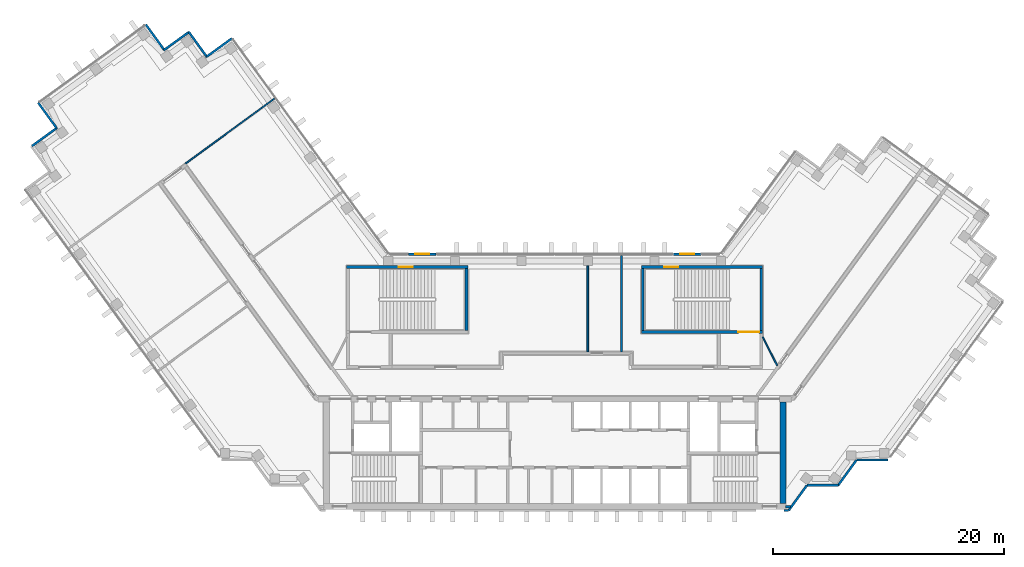
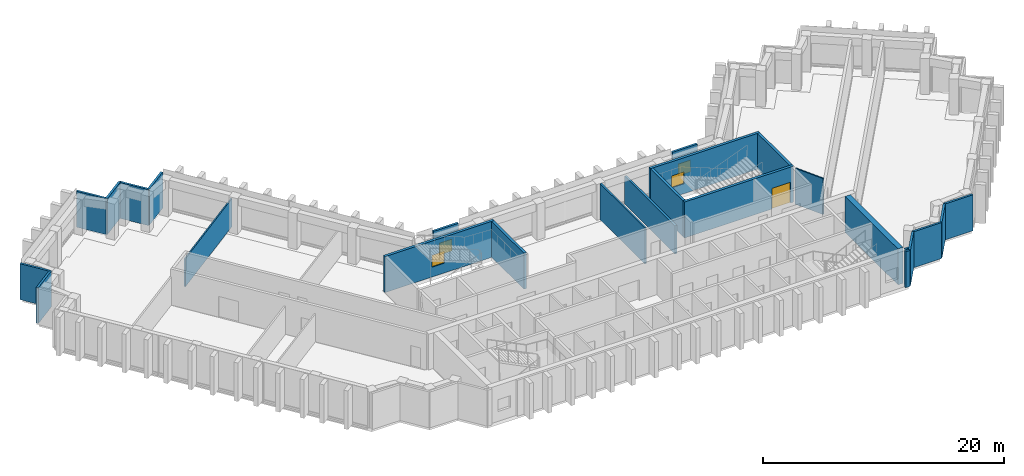
# One storey, part 6 of 9: 25 walls, 4 windows, 1 door, 5 openings.
"""IFC4 building model written with IfcOpenShell, lengths in metres."""

from ifc_helpers import new_model, si_unit, direction, frame, frame_2d, origin, place, context, subcontext, project, spatial, rectangle, extrude, material, layer, layer_set, type_object, element, fill, save


model = new_model("IFC4")

# Units and contexts
model_context = context("Model", 3, precision=1e-05, world=origin(), true_north=direction((0.0, 1.0)))
body_context = subcontext(model_context, "Body", "Model", "MODEL_VIEW")
ifc_project = project(units=[si_unit("LENGTHUNIT", "METRE"), si_unit("AREAUNIT", "SQUARE_METRE"), si_unit("VOLUMEUNIT", "CUBIC_METRE"), si_unit("PLANEANGLEUNIT", "RADIAN"), si_unit("MASSUNIT", "GRAM", prefix="KILO")], contexts=[model_context])

# Site, building, storey
site_placement = place(None, origin())
site = spatial("IfcSite", under=ifc_project, at=site_placement, CompositionType="ELEMENT")
building_placement = place(site_placement, origin())
building = spatial("IfcBuilding", under=site, at=building_placement, Name="Quipu Civic Tower", CompositionType="ELEMENT")
storey_placement = place(building_placement, frame((0.0, 0.0, 218.0)))
storey = spatial("IfcBuildingStorey", under=building, at=storey_placement, Name="L51", CompositionType="ELEMENT", Elevation=218.0)

# Walls
ifc_material_1 = material(Name="Double gypsum plasterboard with mineral wool")
ifc_layer_1 = layer(ifc_material_1, 0.14990234375)
ifc_layer_set_1 = layer_set([ifc_layer_1], Name="Double gypsum plasterboard with mineral wool")
wall_type_1 = type_object("IfcWallType", Name="Acoustic partition 150 plasterboard", PredefinedType="PARTITIONING", material=ifc_layer_set_1)
wall_1_placement = place(storey_placement, frame((2.85888671875, 2.64990234375, 0.0), z_axis=(0.0, 0.0, 1.0), x_axis=(0.0, 1.0, 0.0)))
element("IfcWall", 1, at=wall_1_placement, inside=storey, type_object=wall_type_1, Name="Partition P04", PredefinedType="PARTITIONING", context=body_context, shape_type="SweptSolid", body=[
    extrude(rectangle(XDim=7.445068359375, YDim=0.14990234375, at=frame_2d((3.72265625, 0.0))), origin(), (0.0, 0.0, 1.0), 3.64990234375),
])
ifc_material_2 = material(Name="Fired clay blockwork", Category="masonry")
ifc_layer_2 = layer(ifc_material_2, 0.199951171875)
ifc_layer_set_2 = layer_set([ifc_layer_2], Name="Fired clay blockwork")
wall_type_2 = type_object("IfcWallType", Name="Blockwork wall 200", PredefinedType="SOLIDWALL", material=ifc_layer_set_2)
wall_2_placement = place(storey_placement, frame((5.778076171875, 11.0, 0.0), z_axis=(0.0, 0.0, 1.0), x_axis=(0.0, -1.0, 0.0)))
element("IfcWall", 2, at=wall_2_placement, inside=storey, type_object=wall_type_2, Name="Partition P07", PredefinedType="SOLIDWALL", context=body_context, shape_type="SweptSolid", body=[
    extrude(rectangle(XDim=8.35009765625, YDim=0.199951171875, at=frame_2d((4.175048828125, 0.0))), origin(), (0.0, 0.0, 1.0), 2.85009765625),
])
ifc_material_3 = material(Name="Concrete C70/85", Category="concrete")
ifc_layer_3 = layer(ifc_material_3, 0.25)
ifc_layer_set_3 = layer_set([ifc_layer_3], Name="Concrete C70/85")
wall_type_3 = type_object("IfcWallType", Name="Core wall 250", PredefinedType="SHEAR", material=ifc_layer_set_3)
wall_3_placement = place(storey_placement, frame((-7.625, 4.5, 0.0), z_axis=(0.0, 0.0, 1.0), x_axis=(0.0, 1.0, 0.0)))
element("IfcWall", 3, at=wall_3_placement, inside=storey, type_object=wall_type_3, Name="Core wall", PredefinedType="SHEAR", context=body_context, shape_type="SweptSolid", body=[
    extrude(rectangle(XDim=5.35009765625, YDim=0.25, at=frame_2d((2.675048828125, 0.0))), origin(), (0.0, 0.0, 1.0), 3.64990234375),
])

# Wall, opening, window
wall_4_placement = place(storey_placement, frame((-18.0, 9.97509765625, 0.0), z_axis=(0.0, 0.0, 1.0), x_axis=(1.0, 0.0, 0.0)))
wall_4 = element("IfcWall", 4, at=wall_4_placement, inside=storey, type_object=wall_type_3, Name="Core wall", PredefinedType="SHEAR", context=body_context, shape_type="SweptSolid", body=[
    extrude(rectangle(XDim=10.5, YDim=0.25, at=frame_2d((5.25, 0.0))), origin(), (0.0, 0.0, 1.0), 3.64990234375),
])
opening_1_placement = place(wall_4_placement, frame((4.5, 0.0, 1.0)))
opening_1 = element("IfcOpeningElement", 5, at=opening_1_placement, cuts=wall_4, Name="Opening SV-3", PredefinedType="OPENING", context=body_context, shape_type="SweptSolid", body=[
    extrude(rectangle(XDim=1.199951171875, YDim=1.199951171875, at=frame_2d((0.60009765625, 0.60009765625))), frame((0.0, 0.135009765625, 0.0), z_axis=(0.0, -1.0, 0.0), x_axis=(1.0, 0.0, 0.0)), (0.0, 0.0, 1.0), 0.27001953125),
])
ifc_material_4 = material(Name="Aluminium louvre", Category="aluminium")
window_type_1 = type_object("IfcWindowType", Name="Stair ventilation louvre 1200 x 1200", PartitioningType="SINGLE_PANEL", PredefinedType="WINDOW", material=ifc_material_4)
window_1_placement = place(opening_1_placement, origin())
window_1 = element("IfcWindow", 6, at=window_1_placement, inside=storey, type_object=window_type_1, Name="Stair ventilation opening", OverallHeight=1.199951171875, OverallWidth=1.199951171875, PartitioningType="SINGLE_PANEL", PredefinedType="WINDOW", context=body_context, shape_type="SweptSolid", body=[
    extrude(rectangle(XDim=1.199951171875, YDim=1.199951171875, at=frame_2d((0.60009765625, 0.60009765625))), frame((0.0, 0.030029296875, 0.0), z_axis=(0.0, -1.0, 0.0), x_axis=(1.0, 0.0, 0.0)), (0.0, 0.0, 1.0), 0.06005859375),
])
fill(opening_1, window_1)

# Wall, opening, door
wall_5_placement = place(storey_placement, frame((7.5, 4.375, 0.0), z_axis=(0.0, 0.0, 1.0), x_axis=(1.0, 0.0, 0.0)))
wall_5 = element("IfcWall", 7, at=wall_5_placement, inside=storey, type_object=wall_type_3, Name="Core wall", PredefinedType="SHEAR", context=body_context, shape_type="SweptSolid", body=[
    extrude(rectangle(XDim=10.5, YDim=0.25, at=frame_2d((5.25, 0.0))), origin(), (0.0, 0.0, 1.0), 3.64990234375),
])
opening_2_placement = place(wall_5_placement, frame((8.39990234375, 0.0, 0.0)))
opening_2 = element("IfcOpeningElement", 8, at=opening_2_placement, cuts=wall_5, Name="Opening CD-24", PredefinedType="OPENING", context=body_context, shape_type="SweptSolid", body=[
    extrude(rectangle(XDim=1.800048828125, YDim=2.10009765625, at=frame_2d((0.89990234375, 1.050048828125))), frame((0.0, 0.135009765625, 0.0), z_axis=(0.0, -1.0, 0.0), x_axis=(1.0, 0.0, 0.0)), (0.0, 0.0, 1.0), 0.27001953125),
])
ifc_material_5 = material(Name="Fire rated steel door", Category="steel")
door_type = type_object("IfcDoorType", Name="Fire door FD90 double 1800 x 2100", OperationType="NOTDEFINED", PredefinedType="DOOR", material=ifc_material_5)
door_placement = place(opening_2_placement, origin())
door = element("IfcDoor", 9, at=door_placement, inside=storey, type_object=door_type, Name="Door", OperationType="DOUBLE_DOOR_SINGLE_SWING", OverallHeight=2.10009765625, OverallWidth=1.800048828125, PredefinedType="DOOR", context=body_context, shape_type="SweptSolid", body=[
    extrude(rectangle(XDim=1.800048828125, YDim=2.10009765625, at=frame_2d((0.89990234375, 1.050048828125))), frame((0.0, 0.02490234375, 0.0), z_axis=(0.0, -1.0, 0.0), x_axis=(1.0, 0.0, 0.0)), (0.0, 0.0, 1.0), 0.050048828125),
])
fill(opening_2, door)

# Walls
for number, where, z_axis, x_axis, name in (
    (10, (7.625, 4.5, 0.0), (0.0, 0.0, 1.0), (0.0, 1.0, 0.0), "Core wall"),
    (11, (17.875, 4.5, 0.0), (0.0, 0.0, 1.0), (0.0, 1.0, 0.0), "Core wall"),
):
    element("IfcWall", number, at=place(storey_placement, frame(where, z_axis=z_axis, x_axis=x_axis)), inside=storey, type_object=wall_type_3, Name=name, PredefinedType="SHEAR", context=body_context, shape_type="SweptSolid", body=[
        extrude(rectangle(XDim=5.35009765625, YDim=0.25, at=frame_2d((2.675048828125, 0.0))), origin(), (0.0, 0.0, 1.0), 3.64990234375),
    ])

# Wall, opening, window
wall_6_placement = place(storey_placement, frame((7.5, 9.97509765625, 0.0), z_axis=(0.0, 0.0, 1.0), x_axis=(1.0, 0.0, 0.0)))
wall_6 = element("IfcWall", 12, at=wall_6_placement, inside=storey, type_object=wall_type_3, Name="Core wall", PredefinedType="SHEAR", context=body_context, shape_type="SweptSolid", body=[
    extrude(rectangle(XDim=10.5, YDim=0.25, at=frame_2d((5.25, 0.0))), origin(), (0.0, 0.0, 1.0), 3.64990234375),
])
opening_3_placement = place(wall_6_placement, frame((2.0, 0.0, 1.0)))
opening_3 = element("IfcOpeningElement", 13, at=opening_3_placement, cuts=wall_6, Name="Opening SV-4", PredefinedType="OPENING", context=body_context, shape_type="SweptSolid", body=[
    extrude(rectangle(XDim=1.199951171875, YDim=1.199951171875, at=frame_2d((0.60009765625, 0.60009765625))), frame((0.0, 0.135009765625, 0.0), z_axis=(0.0, -1.0, 0.0), x_axis=(1.0, 0.0, 0.0)), (0.0, 0.0, 1.0), 0.27001953125),
])
window_2_placement = place(opening_3_placement, origin())
window_2 = element("IfcWindow", 14, at=window_2_placement, inside=storey, type_object=window_type_1, Name="Stair ventilation opening", OverallHeight=1.199951171875, OverallWidth=1.199951171875, PartitioningType="SINGLE_PANEL", PredefinedType="WINDOW", context=body_context, shape_type="SweptSolid", body=[
    extrude(rectangle(XDim=1.199951171875, YDim=1.199951171875, at=frame_2d((0.60009765625, 0.60009765625))), frame((0.0, 0.030029296875, 0.0), z_axis=(0.0, -1.0, 0.0), x_axis=(1.0, 0.0, 0.0)), (0.0, 0.0, 1.0), 0.06005859375),
])
fill(opening_3, window_2)

# Walls
ifc_material_6 = material(Name="Concrete C70/85", Category="concrete")
ifc_layer_4 = layer(ifc_material_6, 0.5)
ifc_layer_set_4 = layer_set([ifc_layer_4], Name="Concrete C70/85")
wall_type_4 = type_object("IfcWallType", Name="Core wall 500", PredefinedType="SHEAR", material=ifc_layer_set_4)
wall_7_placement = place(storey_placement, frame((19.75, -10.5, 0.0), z_axis=(0.0, 0.0, 1.0), x_axis=(0.0, 1.0, 0.0)))
element("IfcWall", 15, at=wall_7_placement, inside=storey, type_object=wall_type_4, Name="Core wall", PredefinedType="SHEAR", context=body_context, shape_type="SweptSolid", body=[
    extrude(rectangle(XDim=8.800048828125, YDim=0.5, at=frame_2d((4.39990234375, 0.0))), origin(), (0.0, 0.0, 1.0), 3.64990234375),
])
ifc_material_7 = material(Name="Gypsum plasterboard on light gauge framing")
ifc_layer_5 = layer(ifc_material_7, 0.1201171875)
ifc_layer_set_5 = layer_set([ifc_layer_5], Name="Gypsum plasterboard on light gauge framing")
wall_type_5 = type_object("IfcWallType", Name="Partition 120 plasterboard", PredefinedType="PARTITIONING", material=ifc_layer_set_5)
wall_8_placement = place(storey_placement, frame((-31.97998046875, 18.922119140625, 0.0), z_axis=(0.0, 0.0, 1.0), x_axis=(0.807588329082, 0.589746632657, 0.0)))
element("IfcWall", 16, at=wall_8_placement, inside=storey, type_object=wall_type_5, Name="Partition P02", PredefinedType="PARTITIONING", context=body_context, shape_type="SweptSolid", body=[
    extrude(rectangle(XDim=9.56982421875, YDim=0.1201171875, at=frame_2d((4.784912109375, 0.0))), origin(), (0.0, 0.0, 1.0), 2.85009765625),
])
wall_9_placement = place(storey_placement, frame((18.0, 3.925048828125, 0.0), z_axis=(0.0, 0.0, 1.0), x_axis=(0.453950796792, -0.891026752736, 0.0)))
element("IfcWall", 17, at=wall_9_placement, inside=storey, type_object=wall_type_5, Name="Partition P08", PredefinedType="PARTITIONING", context=body_context, shape_type="SweptSolid", body=[
    extrude(rectangle(XDim=2.77783203125, YDim=0.1201171875, at=frame_2d((1.388916015625, 0.0))), origin(), (0.0, 0.0, 1.0), 3.64990234375),
])
ifc_material_8 = material(Name="Precast concrete C40/50", Category="concrete")
wall_type_6 = type_object("IfcWallType", Name="Precast cladding wall", PredefinedType="SOLIDWALL", material=ifc_material_8)
wall_10_placement = place(storey_placement, frame((21.8427734375, -8.90380859375, 0.0), z_axis=(0.0, 0.0, 1.0), x_axis=(1.0, 0.0, 0.0)))
element("IfcWall", 18, at=wall_10_placement, inside=storey, type_object=wall_type_6, Name="Precast cladding wall L51 P01", PredefinedType="SOLIDWALL", context=body_context, shape_type="SweptSolid", body=[
    extrude(rectangle(XDim=2.699951171875, YDim=0.199951171875, at=frame_2d((1.35009765625, 0.0))), origin(), (0.0, 0.0, 1.0), 3.64990234375),
])
wall_11_placement = place(storey_placement, frame((24.533203125, -8.90869140625, 0.0), z_axis=(0.0, 0.0, 1.0), x_axis=(0.587720002413, 0.809064397168, 0.0)))
element("IfcWall", 19, at=wall_11_placement, inside=storey, type_object=wall_type_6, Name="Precast cladding wall L51 P02", PredefinedType="SOLIDWALL", context=body_context, shape_type="SweptSolid", body=[
    extrude(rectangle(XDim=2.7001953125, YDim=0.199951171875, at=frame_2d((1.35009765625, 0.0))), origin(), (0.0, 0.0, 1.0), 3.64990234375),
])
for number, where, z_axis, x_axis, name in (
    (20, (26.1298828125, -6.71923828125, 0.0), (0.0, 0.0, 1.0), (1.0, 0.0, 0.0), "Precast cladding wall L51 P03"),
    (21, (-27.92138671875, 29.787109375, 0.0), (0.0, 0.0, 1.0), (-0.809033161865, -0.587762999008, 0.0), "Precast cladding wall L51 2"),
    (22, (-30.08349609375, 28.149169921875, 0.0), (0.0, 0.0, 1.0), (-0.587762999008, 0.809033161865, 0.0), "Precast cladding wall L51 3"),
    (23, (-31.653564453125, 30.330810546875, 0.0), (0.0, 0.0, 1.0), (-0.809033161865, -0.587762999008, 0.0), "Precast cladding wall L51 4"),
    (24, (-33.80078125, 28.785888671875, 0.0), (0.0, 0.0, 1.0), (-0.587762999008, 0.809033161865, 0.0), "Precast cladding wall L51 5"),
    (25, (-44.699462890625, 24.20458984375, 0.0), (0.0, 0.0, 1.0), (0.587762999008, -0.809033161865, 0.0), "Precast cladding wall L51 7"),
    (26, (-43.060791015625, 22.04296875, 0.0), (0.0, 0.0, 1.0), (-0.809033161865, -0.587762999008, 0.0), "Precast cladding wall L51 8"),
):
    element("IfcWall", number, at=place(storey_placement, frame(where, z_axis=z_axis, x_axis=x_axis)), inside=storey, type_object=wall_type_6, Name=name, PredefinedType="SOLIDWALL", context=body_context, shape_type="SweptSolid", body=[
        extrude(rectangle(XDim=2.699951171875, YDim=0.199951171875, at=frame_2d((1.35009765625, 0.0))), origin(), (0.0, 0.0, 1.0), 3.64990234375),
    ])
wall_12_placement = place(storey_placement, frame((19.85009765625, -11.087890625, 0.0), z_axis=(0.0, 0.0, 1.0), x_axis=(1.0, 0.0, 0.0)))
element("IfcWall", 27, at=wall_12_placement, inside=storey, type_object=wall_type_6, Name="Precast cladding wall L51 18", PredefinedType="SOLIDWALL", context=body_context, shape_type="SweptSolid", body=[
    extrude(rectangle(XDim=0.40576171875, YDim=0.199951171875, at=frame_2d((0.202880859375, 0.0))), origin(), (0.0, 0.0, 1.0), 3.64990234375),
])
wall_13_placement = place(storey_placement, frame((20.253173828125, -11.083251953125, 0.0), z_axis=(0.0, 0.0, 1.0), x_axis=(0.587766567315, 0.809030569476, 0.0)))
element("IfcWall", 28, at=wall_13_placement, inside=storey, type_object=wall_type_6, Name="Precast cladding wall L51 19", PredefinedType="SOLIDWALL", context=body_context, shape_type="SweptSolid", body=[
    extrude(rectangle(XDim=2.687744140625, YDim=0.199951171875, at=frame_2d((1.34375, 0.0))), origin(), (0.0, 0.0, 1.0), 3.64990234375),
])

# Wall, opening, window
wall_14_placement = place(storey_placement, frame((12.655029296875, 11.10009765625, 0.0), z_axis=(0.0, 0.0, 1.0), x_axis=(-1.0, 0.0, 0.0)))
wall_14 = element("IfcWall", 29, at=wall_14_placement, inside=storey, type_object=wall_type_6, Name="Vent surround SF-L51-2", PredefinedType="SOLIDWALL", context=body_context, shape_type="SweptSolid", body=[
    extrude(rectangle(XDim=2.3916015625, YDim=0.199951171875, at=frame_2d((1.19580078125, 0.0))), origin(), (0.0, 0.0, 1.0), 3.64990234375),
])
opening_4_placement = place(wall_14_placement, frame((0.595703125, 0.0, 1.0)))
opening_4 = element("IfcOpeningElement", 30, at=opening_4_placement, cuts=wall_14, Name="Opening SF-L51-2", PredefinedType="OPENING", context=body_context, shape_type="SweptSolid", body=[
    extrude(rectangle(XDim=1.199951171875, YDim=1.199951171875, at=frame_2d((0.60009765625, 0.60009765625))), frame((0.0, 0.10986328125, 0.0), z_axis=(0.0, -1.0, 0.0), x_axis=(1.0, 0.0, 0.0)), (0.0, 0.0, 1.0), 0.219970703125),
])
ifc_material_9 = material(Name="Anodised aluminium louvre", Category="aluminium")
window_type_2 = type_object("IfcWindowType", Name="Stair vent louvre window P3", PartitioningType="SINGLE_PANEL", PredefinedType="WINDOW", material=ifc_material_9)
window_3_placement = place(opening_4_placement, origin())
window_3 = element("IfcWindow", 31, at=window_3_placement, inside=storey, type_object=window_type_2, Name="Stair vent louvre SF-L51-2", OverallHeight=1.199951171875, OverallWidth=1.199951171875, PartitioningType="SINGLE_PANEL", PredefinedType="WINDOW", context=body_context, shape_type="SweptSolid", body=[
    extrude(rectangle(XDim=1.199951171875, YDim=1.199951171875, at=frame_2d((0.60009765625, 0.60009765625))), frame((0.0, 0.030029296875, 0.0), z_axis=(0.0, -1.0, 0.0), x_axis=(1.0, 0.0, 0.0)), (0.0, 0.0, 1.0), 0.06005859375),
])
fill(opening_4, window_3)

wall_15_placement = place(storey_placement, frame((-10.263427734375, 11.10009765625, 0.0), z_axis=(0.0, 0.0, 1.0), x_axis=(-1.0, 0.0, 0.0)))
wall_15 = element("IfcWall", 32, at=wall_15_placement, inside=storey, type_object=wall_type_6, Name="Vent surround SF-L51-1", PredefinedType="SOLIDWALL", context=body_context, shape_type="SweptSolid", body=[
    extrude(rectangle(XDim=2.3916015625, YDim=0.199951171875, at=frame_2d((1.19580078125, 0.0))), origin(), (0.0, 0.0, 1.0), 3.64990234375),
])
opening_5_placement = place(wall_15_placement, frame((0.595703125, 0.0, 1.0)))
opening_5 = element("IfcOpeningElement", 33, at=opening_5_placement, cuts=wall_15, Name="Opening SF-L51-1", PredefinedType="OPENING", context=body_context, shape_type="SweptSolid", body=[
    extrude(rectangle(XDim=1.199951171875, YDim=1.199951171875, at=frame_2d((0.60009765625, 0.60009765625))), frame((0.0, 0.10986328125, 0.0), z_axis=(0.0, -1.0, 0.0), x_axis=(1.0, 0.0, 0.0)), (0.0, 0.0, 1.0), 0.219970703125),
])
window_4_placement = place(opening_5_placement, origin())
window_4 = element("IfcWindow", 34, at=window_4_placement, inside=storey, type_object=window_type_2, Name="Stair vent louvre SF-L51-1", OverallHeight=1.199951171875, OverallWidth=1.199951171875, PartitioningType="SINGLE_PANEL", PredefinedType="WINDOW", context=body_context, shape_type="SweptSolid", body=[
    extrude(rectangle(XDim=1.199951171875, YDim=1.199951171875, at=frame_2d((0.60009765625, 0.60009765625))), frame((0.0, 0.030029296875, 0.0), z_axis=(0.0, -1.0, 0.0), x_axis=(1.0, 0.0, 0.0)), (0.0, 0.0, 1.0), 0.06005859375),
])
fill(opening_5, window_4)

# Wall
wall_16_placement = place(storey_placement, frame((19.97998046875, -10.75, 0.0), z_axis=(0.0, 0.0, 1.0), x_axis=(1.0, 0.0, 0.0)))
element("IfcWall", 35, at=wall_16_placement, inside=storey, type_object=wall_type_6, Name="Precast cladding return L51 E", PredefinedType="SOLIDWALL", context=body_context, shape_type="SweptSolid", body=[
    extrude(rectangle(XDim=0.41650390625, YDim=0.199951171875, at=frame_2d((0.208251953125, 0.0))), origin(), (0.0, 0.0, 1.0), 3.64990234375),
])

save(model, "model.ifc")
